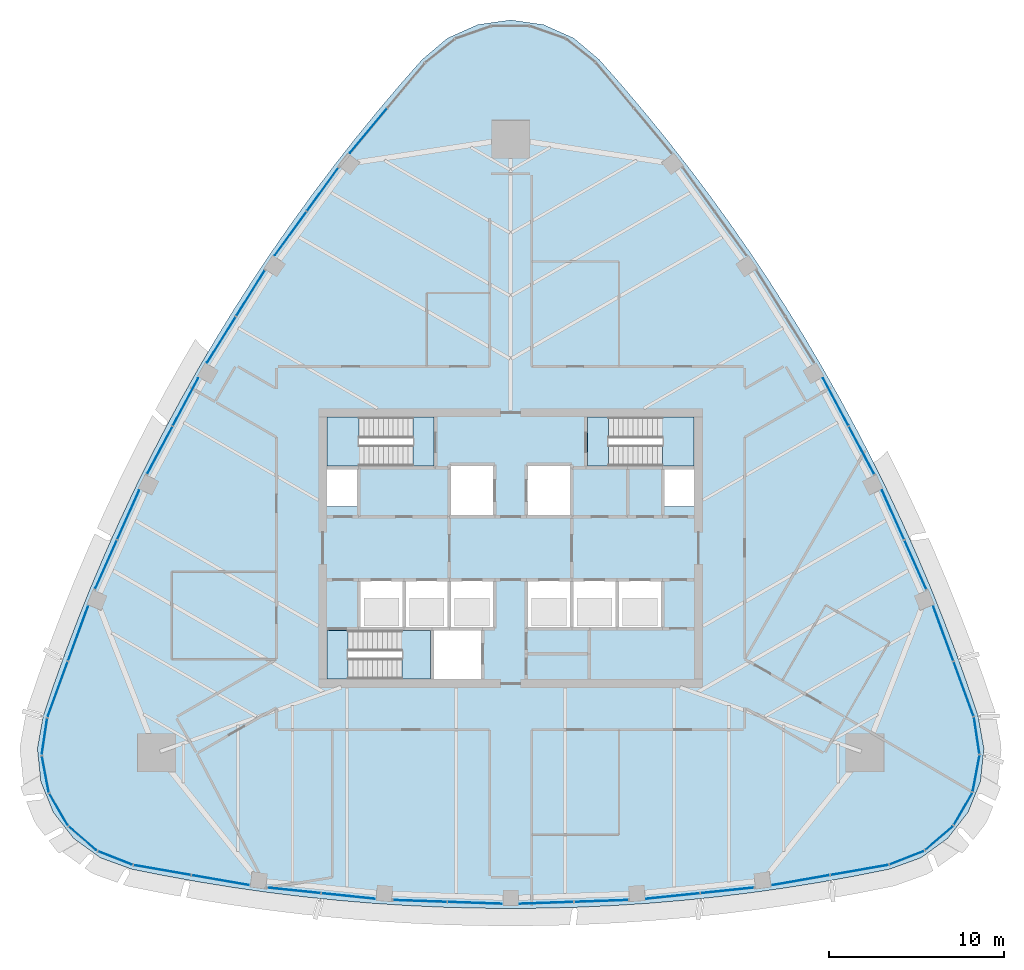
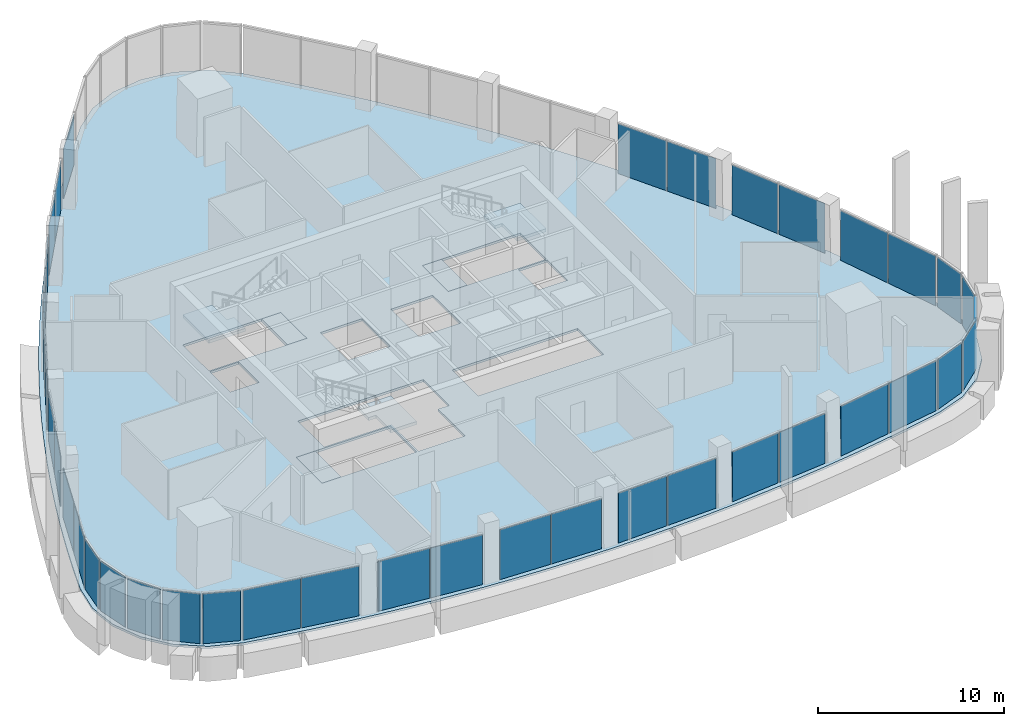
# One storey, part 7 of 16: 39 plates, 7 slabs, 28 elements without a shape of their own.
"""IFC4 building model written with IfcOpenShell, lengths in metres."""

from ifc_helpers import new_model, si_unit, direction, frame, origin, origin_2d, place, context, subcontext, project, spatial, polyline, rectangle, outline, extrude, material, layer, layer_set, type_object, element, aggregate, save


model = new_model("IFC4")

# Units and contexts
model_context = context("Model", 3, precision=1e-05, world=origin(), true_north=direction((0.0, 1.0)))
body_context = subcontext(model_context, "Body", "Model", "MODEL_VIEW")
ifc_project = project(units=[si_unit("LENGTHUNIT", "METRE"), si_unit("AREAUNIT", "SQUARE_METRE"), si_unit("VOLUMEUNIT", "CUBIC_METRE"), si_unit("PLANEANGLEUNIT", "RADIAN"), si_unit("MASSUNIT", "GRAM", prefix="KILO")], contexts=[model_context])

# Site, building, storey
site_placement = place(None, origin())
site = spatial("IfcSite", under=ifc_project, at=site_placement, CompositionType="ELEMENT")
building_placement = place(site_placement, origin())
building = spatial("IfcBuilding", under=site, at=building_placement, Name="Sierra Prisma Convention Tower", CompositionType="ELEMENT")
storey_placement = place(building_placement, frame((0.0, 0.0, 303.0)))
storey = spatial("IfcBuildingStorey", under=building, at=storey_placement, Name="L69", CompositionType="ELEMENT", Elevation=303.0)

# Curtain wall, plates
ifc_material_1 = material(Name="Aluminium and glass curtain wall", Category="aluminium")
ifc_layer_1 = layer(ifc_material_1, 0.179931640625)
ifc_layer_set_1 = layer_set([ifc_layer_1], Name="CW-1 Plain shaft curtain wall")
curtain_wall_type = type_object("IfcCurtainWallType", Name="CW-1 Plain shaft curtain wall", PredefinedType="NOTDEFINED", material=ifc_layer_set_1)
curtain_wall_1_placement = place(storey_placement, origin())
curtain_wall_1 = element("IfcCurtainWall", 1, at=curtain_wall_1_placement, inside=storey, type_object=curtain_wall_type, Name="CW-1 S1 L69", PredefinedType="NOTDEFINED")
ifc_material_2 = material(Name="Tinted glass bronze-grey IGU", Category="glass")
ifc_layer_2 = layer(ifc_material_2, 0.028076171875)
ifc_layer_set_2 = layer_set([ifc_layer_2], Name="CW-1 glass panel")
plate_type = type_object("IfcPlateType", Name="CW-1 glass panel", PredefinedType="CURTAIN_PANEL", material=ifc_layer_set_2)
plate_1_placement = place(storey_placement, frame((-19.939453125, -18.41943359375, 0.0), z_axis=(0.0, 0.0, 1.0), x_axis=(0.98517858206, -0.171531808858, 0.0)))
plate_1 = element("IfcPlate", 2, at=plate_1_placement, type_object=plate_type, Name="CW-1 panel S1.1", PredefinedType="CURTAIN_PANEL", context=body_context, shape_type="SweptSolid", body=[
    extrude(rectangle(XDim=3.30078125, YDim=0.028076171875, at=origin_2d()), origin(), (0.0, 0.0, 1.0), 3.280029296875),
])
plate_2_placement = place(storey_placement, frame((-16.61865234375, -18.99755859375, 0.0), z_axis=(0.0, 0.0, 1.0), x_axis=(0.98517858206, -0.171531808858, 0.0)))
plate_2 = element("IfcPlate", 3, at=plate_2_placement, type_object=plate_type, Name="CW-1 panel S1.2", PredefinedType="CURTAIN_PANEL", context=body_context, shape_type="SweptSolid", body=[
    extrude(rectangle(XDim=3.30078125, YDim=0.028076171875, at=origin_2d()), origin(), (0.0, 0.0, 1.0), 3.280029296875),
])
aggregate(curtain_wall_1, [plate_1, plate_2])

curtain_wall_2_placement = place(storey_placement, origin())
curtain_wall_2 = element("IfcCurtainWall", 4, at=curtain_wall_2_placement, inside=storey, type_object=curtain_wall_type, Name="CW-1 S2 L69", PredefinedType="NOTDEFINED")
plate_3_placement = place(storey_placement, frame((-12.40087890625, -19.585693359375, 0.0), z_axis=(0.0, 0.0, 1.0), x_axis=(0.994655823565, -0.103246271836, 0.0)))
plate_3 = element("IfcPlate", 5, at=plate_3_placement, type_object=plate_type, Name="CW-1 panel S2.1", PredefinedType="CURTAIN_PANEL", context=body_context, shape_type="SweptSolid", body=[
    extrude(rectangle(XDim=3.053955078125, YDim=0.028076171875, at=origin_2d()), origin(), (0.0, 0.0, 1.0), 3.280029296875),
])
plate_4_placement = place(storey_placement, frame((-9.29345703125, -19.908447265625, 0.0), z_axis=(0.0, 0.0, 1.0), x_axis=(0.994655823565, -0.103246271836, 0.0)))
plate_4 = element("IfcPlate", 6, at=plate_4_placement, type_object=plate_type, Name="CW-1 panel S2.2", PredefinedType="CURTAIN_PANEL", context=body_context, shape_type="SweptSolid", body=[
    extrude(rectangle(XDim=3.053955078125, YDim=0.028076171875, at=origin_2d()), origin(), (0.0, 0.0, 1.0), 3.280029296875),
])
aggregate(curtain_wall_2, [plate_3, plate_4])

curtain_wall_3_placement = place(storey_placement, origin())
curtain_wall_3 = element("IfcCurtainWall", 7, at=curtain_wall_3_placement, inside=storey, type_object=curtain_wall_type, Name="CW-1 S3 L69", PredefinedType="NOTDEFINED")
plate_5_placement = place(storey_placement, frame((-5.191650390625, -20.19091796875, 0.0), z_axis=(0.0, 0.0, 1.0), x_axis=(0.999405731839, -0.034470032902, 0.0)))
plate_5 = element("IfcPlate", 8, at=plate_5_placement, type_object=plate_type, Name="CW-1 panel S3.1", PredefinedType="CURTAIN_PANEL", context=body_context, shape_type="SweptSolid", body=[
    extrude(rectangle(XDim=3.06982421875, YDim=0.028076171875, at=origin_2d()), origin(), (0.0, 0.0, 1.0), 3.280029296875),
])
plate_6_placement = place(storey_placement, frame((-2.0537109375, -20.299072265625, 0.0), z_axis=(0.0, 0.0, 1.0), x_axis=(0.999405731839, -0.034470032902, 0.0)))
plate_6 = element("IfcPlate", 9, at=plate_6_placement, type_object=plate_type, Name="CW-1 panel S3.2", PredefinedType="CURTAIN_PANEL", context=body_context, shape_type="SweptSolid", body=[
    extrude(rectangle(XDim=3.06982421875, YDim=0.028076171875, at=origin_2d()), origin(), (0.0, 0.0, 1.0), 3.280029296875),
])
aggregate(curtain_wall_3, [plate_5, plate_6])

curtain_wall_4_placement = place(storey_placement, origin())
curtain_wall_4 = element("IfcCurtainWall", 10, at=curtain_wall_4_placement, inside=storey, type_object=curtain_wall_type, Name="CW-1 S4 L69", PredefinedType="NOTDEFINED")
plate_7_placement = place(storey_placement, frame((2.0537109375, -20.299072265625, 0.0), z_axis=(0.0, 0.0, 1.0), x_axis=(0.999405731839, 0.034470032902, 0.0)))
plate_7 = element("IfcPlate", 11, at=plate_7_placement, type_object=plate_type, Name="CW-1 panel S4.1", PredefinedType="CURTAIN_PANEL", context=body_context, shape_type="SweptSolid", body=[
    extrude(rectangle(XDim=3.06982421875, YDim=0.028076171875, at=origin_2d()), origin(), (0.0, 0.0, 1.0), 3.280029296875),
])
plate_8_placement = place(storey_placement, frame((5.191650390625, -20.19091796875, 0.0), z_axis=(0.0, 0.0, 1.0), x_axis=(0.999405731839, 0.034470032902, 0.0)))
plate_8 = element("IfcPlate", 12, at=plate_8_placement, type_object=plate_type, Name="CW-1 panel S4.2", PredefinedType="CURTAIN_PANEL", context=body_context, shape_type="SweptSolid", body=[
    extrude(rectangle(XDim=3.06982421875, YDim=0.028076171875, at=origin_2d()), origin(), (0.0, 0.0, 1.0), 3.280029296875),
])
aggregate(curtain_wall_4, [plate_7, plate_8])

curtain_wall_5_placement = place(storey_placement, origin())
curtain_wall_5 = element("IfcCurtainWall", 13, at=curtain_wall_5_placement, inside=storey, type_object=curtain_wall_type, Name="CW-1 S5 L69", PredefinedType="NOTDEFINED")
plate_9_placement = place(storey_placement, frame((9.29345703125, -19.908447265625, 0.0), z_axis=(0.0, 0.0, 1.0), x_axis=(0.994655823565, 0.103246271836, 0.0)))
plate_9 = element("IfcPlate", 14, at=plate_9_placement, type_object=plate_type, Name="CW-1 panel S5.1", PredefinedType="CURTAIN_PANEL", context=body_context, shape_type="SweptSolid", body=[
    extrude(rectangle(XDim=3.053955078125, YDim=0.028076171875, at=origin_2d()), origin(), (0.0, 0.0, 1.0), 3.280029296875),
])
plate_10_placement = place(storey_placement, frame((12.40087890625, -19.585693359375, 0.0), z_axis=(0.0, 0.0, 1.0), x_axis=(0.994655823565, 0.103246271836, 0.0)))
plate_10 = element("IfcPlate", 15, at=plate_10_placement, type_object=plate_type, Name="CW-1 panel S5.2", PredefinedType="CURTAIN_PANEL", context=body_context, shape_type="SweptSolid", body=[
    extrude(rectangle(XDim=3.053955078125, YDim=0.028076171875, at=origin_2d()), origin(), (0.0, 0.0, 1.0), 3.280029296875),
])
aggregate(curtain_wall_5, [plate_9, plate_10])

curtain_wall_6_placement = place(storey_placement, origin())
curtain_wall_6 = element("IfcCurtainWall", 16, at=curtain_wall_6_placement, inside=storey, type_object=curtain_wall_type, Name="CW-1 S6 L69", PredefinedType="NOTDEFINED")
plate_11_placement = place(storey_placement, frame((16.61865234375, -18.99755859375, 0.0), z_axis=(0.0, 0.0, 1.0), x_axis=(0.98517858206, 0.171531808858, 0.0)))
plate_11 = element("IfcPlate", 17, at=plate_11_placement, type_object=plate_type, Name="CW-1 panel S6.1", PredefinedType="CURTAIN_PANEL", context=body_context, shape_type="SweptSolid", body=[
    extrude(rectangle(XDim=3.30078125, YDim=0.028076171875, at=origin_2d()), origin(), (0.0, 0.0, 1.0), 3.280029296875),
])
plate_12_placement = place(storey_placement, frame((19.939453125, -18.41943359375, 0.0), z_axis=(0.0, 0.0, 1.0), x_axis=(0.98517858206, 0.171531808858, 0.0)))
plate_12 = element("IfcPlate", 18, at=plate_12_placement, type_object=plate_type, Name="CW-1 panel S6.2", PredefinedType="CURTAIN_PANEL", context=body_context, shape_type="SweptSolid", body=[
    extrude(rectangle(XDim=3.30078125, YDim=0.028076171875, at=origin_2d()), origin(), (0.0, 0.0, 1.0), 3.280029296875),
])
aggregate(curtain_wall_6, [plate_11, plate_12])

# Curtain wall, plate
curtain_wall_7_placement = place(storey_placement, origin())
curtain_wall_7 = element("IfcCurtainWall", 19, at=curtain_wall_7_placement, inside=storey, type_object=curtain_wall_type, Name="CW-1 SE1 L69", PredefinedType="NOTDEFINED")
plate_13_placement = place(storey_placement, frame((22.654052734375, -17.72314453125, 0.0), z_axis=(0.0, 0.0, 1.0), x_axis=(0.930533825949, 0.366205951296, 0.0)))
plate_13 = element("IfcPlate", 20, at=plate_13_placement, type_object=plate_type, Name="CW-1 panel SE1.1", PredefinedType="CURTAIN_PANEL", context=body_context, shape_type="SweptSolid", body=[
    extrude(rectangle(XDim=2.05126953125, YDim=0.028076171875, at=origin_2d()), origin(), (0.0, 0.0, 1.0), 3.280029296875),
])
aggregate(curtain_wall_7, [plate_13])

curtain_wall_8_placement = place(storey_placement, origin())
curtain_wall_8 = element("IfcCurtainWall", 21, at=curtain_wall_8_placement, inside=storey, type_object=curtain_wall_type, Name="CW-1 SE2 L69", PredefinedType="NOTDEFINED")
plate_14_placement = place(storey_placement, frame((24.503662109375, -16.606689453125, 0.0), z_axis=(0.0, 0.0, 1.0), x_axis=(0.75766854763, 0.652639542115, 0.0)))
plate_14 = element("IfcPlate", 22, at=plate_14_placement, type_object=plate_type, Name="CW-1 panel SE2.1", PredefinedType="CURTAIN_PANEL", context=body_context, shape_type="SweptSolid", body=[
    extrude(rectangle(XDim=2.05126953125, YDim=0.028076171875, at=origin_2d()), origin(), (0.0, 0.0, 1.0), 3.280029296875),
])
aggregate(curtain_wall_8, [plate_14])

curtain_wall_9_placement = place(storey_placement, origin())
curtain_wall_9 = element("IfcCurtainWall", 23, at=curtain_wall_9_placement, inside=storey, type_object=curtain_wall_type, Name="CW-1 SE3 L69", PredefinedType="NOTDEFINED")
plate_15_placement = place(storey_placement, frame((25.8818359375, -14.94287109375, 0.0), z_axis=(0.0, 0.0, 1.0), x_axis=(0.5, 0.866025403784, 0.0)))
plate_15 = element("IfcPlate", 24, at=plate_15_placement, type_object=plate_type, Name="CW-1 panel SE3.1", PredefinedType="CURTAIN_PANEL", context=body_context, shape_type="SweptSolid", body=[
    extrude(rectangle(XDim=2.05126953125, YDim=0.028076171875, at=origin_2d()), origin(), (0.0, 0.0, 1.0), 3.280029296875),
])
aggregate(curtain_wall_9, [plate_15])

curtain_wall_10_placement = place(storey_placement, origin())
curtain_wall_10 = element("IfcCurtainWall", 25, at=curtain_wall_10_placement, inside=storey, type_object=curtain_wall_type, Name="CW-1 SE4 L69", PredefinedType="NOTDEFINED")
plate_16_placement = place(storey_placement, frame((26.6337890625, -12.91748046875, 0.0), z_axis=(0.0, 0.0, 1.0), x_axis=(0.186368149171, 0.982479980954, 0.0)))
plate_16 = element("IfcPlate", 26, at=plate_16_placement, type_object=plate_type, Name="CW-1 panel SE4.1", PredefinedType="CURTAIN_PANEL", context=body_context, shape_type="SweptSolid", body=[
    extrude(rectangle(XDim=2.05126953125, YDim=0.028076171875, at=origin_2d()), origin(), (0.0, 0.0, 1.0), 3.280029296875),
])
aggregate(curtain_wall_10, [plate_16])

curtain_wall_11_placement = place(storey_placement, origin())
curtain_wall_11 = element("IfcCurtainWall", 27, at=curtain_wall_11_placement, inside=storey, type_object=curtain_wall_type, Name="CW-1 SE5 L69", PredefinedType="NOTDEFINED")
plate_17_placement = place(storey_placement, frame((26.675537109375, -10.75732421875, 0.0), z_axis=(0.0, 0.0, 1.0), x_axis=(-0.148123256135, 0.988968908001, 0.0)))
plate_17 = element("IfcPlate", 28, at=plate_17_placement, type_object=plate_type, Name="CW-1 panel SE5.1", PredefinedType="CURTAIN_PANEL", context=body_context, shape_type="SweptSolid", body=[
    extrude(rectangle(XDim=2.05126953125, YDim=0.028076171875, at=origin_2d()), origin(), (0.0, 0.0, 1.0), 3.280029296875),
])
aggregate(curtain_wall_11, [plate_17])

# Curtain wall, plates
curtain_wall_12_placement = place(storey_placement, origin())
curtain_wall_12 = element("IfcCurtainWall", 29, at=curtain_wall_12_placement, inside=storey, type_object=curtain_wall_type, Name="CW-1 NE1 L69", PredefinedType="NOTDEFINED")
plate_18_placement = place(storey_placement, frame((25.92138671875, -8.058349609375, 0.0), z_axis=(0.0, 0.0, 1.0), x_axis=(-0.344038387002, 0.938955583757, 0.0)))
plate_18 = element("IfcPlate", 30, at=plate_18_placement, type_object=plate_type, Name="CW-1 panel NE1.1", PredefinedType="CURTAIN_PANEL", context=body_context, shape_type="SweptSolid", body=[
    extrude(rectangle(XDim=3.30078125, YDim=0.028076171875, at=origin_2d()), origin(), (0.0, 0.0, 1.0), 3.280029296875),
])
plate_19_placement = place(storey_placement, frame((24.76171875, -4.893310546875, 0.0), z_axis=(0.0, 0.0, 1.0), x_axis=(-0.344038387002, 0.938955583757, 0.0)))
plate_19 = element("IfcPlate", 31, at=plate_19_placement, type_object=plate_type, Name="CW-1 panel NE1.2", PredefinedType="CURTAIN_PANEL", context=body_context, shape_type="SweptSolid", body=[
    extrude(rectangle(XDim=3.30078125, YDim=0.028076171875, at=origin_2d()), origin(), (0.0, 0.0, 1.0), 3.280029296875),
])
aggregate(curtain_wall_12, [plate_18, plate_19])

curtain_wall_13_placement = place(storey_placement, origin())
curtain_wall_13 = element("IfcCurtainWall", 32, at=curtain_wall_13_placement, inside=storey, type_object=curtain_wall_type, Name="CW-1 NE2 L69", PredefinedType="NOTDEFINED")
plate_20_placement = place(storey_placement, frame((23.162353515625, -0.94677734375, 0.0), z_axis=(0.0, 0.0, 1.0), x_axis=(-0.407914017527, 0.913020347147, 0.0)))
plate_20 = element("IfcPlate", 33, at=plate_20_placement, type_object=plate_type, Name="CW-1 panel NE2.1", PredefinedType="CURTAIN_PANEL", context=body_context, shape_type="SweptSolid", body=[
    extrude(rectangle(XDim=3.05419921875, YDim=0.028076171875, at=origin_2d()), origin(), (0.0, 0.0, 1.0), 3.280029296875),
])
plate_21_placement = place(storey_placement, frame((21.887939453125, 1.90576171875, 0.0), z_axis=(0.0, 0.0, 1.0), x_axis=(-0.407914017527, 0.913020347147, 0.0)))
plate_21 = element("IfcPlate", 34, at=plate_21_placement, type_object=plate_type, Name="CW-1 panel NE2.2", PredefinedType="CURTAIN_PANEL", context=body_context, shape_type="SweptSolid", body=[
    extrude(rectangle(XDim=3.05419921875, YDim=0.028076171875, at=origin_2d()), origin(), (0.0, 0.0, 1.0), 3.280029296875),
])
aggregate(curtain_wall_13, [plate_20, plate_21])

curtain_wall_14_placement = place(storey_placement, origin())
curtain_wall_14 = element("IfcCurtainWall", 35, at=curtain_wall_14_placement, inside=storey, type_object=curtain_wall_type, Name="CW-1 NE3 L69", PredefinedType="NOTDEFINED")
plate_22_placement = place(storey_placement, frame((20.081787109375, 5.59912109375, 0.0), z_axis=(0.0, 0.0, 1.0), x_axis=(-0.469850941757, 0.882745768911, 0.0)))
plate_22 = element("IfcPlate", 36, at=plate_22_placement, type_object=plate_type, Name="CW-1 panel NE3.1", PredefinedType="CURTAIN_PANEL", context=body_context, shape_type="SweptSolid", body=[
    extrude(rectangle(XDim=3.06982421875, YDim=0.028076171875, at=origin_2d()), origin(), (0.0, 0.0, 1.0), 3.280029296875),
])
plate_23_placement = place(storey_placement, frame((18.6064453125, 8.37109375, 0.0), z_axis=(0.0, 0.0, 1.0), x_axis=(-0.469850941757, 0.882745768911, 0.0)))
plate_23 = element("IfcPlate", 37, at=plate_23_placement, type_object=plate_type, Name="CW-1 panel NE3.2", PredefinedType="CURTAIN_PANEL", context=body_context, shape_type="SweptSolid", body=[
    extrude(rectangle(XDim=3.06982421875, YDim=0.028076171875, at=origin_2d()), origin(), (0.0, 0.0, 1.0), 3.280029296875),
])
aggregate(curtain_wall_14, [plate_22, plate_23])

# Curtain wall, plate
curtain_wall_15_placement = place(storey_placement, origin())
curtain_wall_15 = element("IfcCurtainWall", 38, at=curtain_wall_15_placement, inside=storey, type_object=curtain_wall_type, Name="CW-1 NW1 L69", PredefinedType="NOTDEFINED")
plate_24_placement = place(storey_placement, frame((-8.14306640625, 23.890869140625, 0.0), z_axis=(0.0, 0.0, 1.0), x_axis=(-0.641140195058, -0.7674237749, 0.0)))
plate_24 = element("IfcPlate", 39, at=plate_24_placement, type_object=plate_type, Name="CW-1 panel NW1.2", PredefinedType="CURTAIN_PANEL", context=body_context, shape_type="SweptSolid", body=[
    extrude(rectangle(XDim=3.30078125, YDim=0.028076171875, at=origin_2d()), origin(), (0.0, 0.0, 1.0), 3.280029296875),
])
aggregate(curtain_wall_15, [plate_24])

# Curtain wall, plates
curtain_wall_16_placement = place(storey_placement, origin())
curtain_wall_16 = element("IfcCurtainWall", 40, at=curtain_wall_16_placement, inside=storey, type_object=curtain_wall_type, Name="CW-1 NW2 L69", PredefinedType="NOTDEFINED")
plate_25_placement = place(storey_placement, frame((-10.761474609375, 20.532470703125, 0.0), z_axis=(0.0, 0.0, 1.0), x_axis=(-0.586741806038, -0.809774075312, 0.0)))
plate_25 = element("IfcPlate", 41, at=plate_25_placement, type_object=plate_type, Name="CW-1 panel NW2.1", PredefinedType="CURTAIN_PANEL", context=body_context, shape_type="SweptSolid", body=[
    extrude(rectangle(XDim=3.053955078125, YDim=0.028076171875, at=origin_2d()), origin(), (0.0, 0.0, 1.0), 3.280029296875),
])
plate_26_placement = place(storey_placement, frame((-12.594482421875, 18.002685546875, 0.0), z_axis=(0.0, 0.0, 1.0), x_axis=(-0.586741806038, -0.809774075312, 0.0)))
plate_26 = element("IfcPlate", 42, at=plate_26_placement, type_object=plate_type, Name="CW-1 panel NW2.2", PredefinedType="CURTAIN_PANEL", context=body_context, shape_type="SweptSolid", body=[
    extrude(rectangle(XDim=3.053955078125, YDim=0.028076171875, at=origin_2d()), origin(), (0.0, 0.0, 1.0), 3.280029296875),
])
aggregate(curtain_wall_16, [plate_25, plate_26])

curtain_wall_17_placement = place(storey_placement, origin())
curtain_wall_17 = element("IfcCurtainWall", 43, at=curtain_wall_17_placement, inside=storey, type_object=curtain_wall_type, Name="CW-1 NW3 L69", PredefinedType="NOTDEFINED")
plate_27_placement = place(storey_placement, frame((-14.89013671875, 14.591552734375, 0.0), z_axis=(0.0, 0.0, 1.0), x_axis=(-0.529554790081, -0.848275736009, 0.0)))
plate_27 = element("IfcPlate", 44, at=plate_27_placement, type_object=plate_type, Name="CW-1 panel NW3.1", PredefinedType="CURTAIN_PANEL", context=body_context, shape_type="SweptSolid", body=[
    extrude(rectangle(XDim=3.06982421875, YDim=0.028076171875, at=origin_2d()), origin(), (0.0, 0.0, 1.0), 3.280029296875),
])
plate_28_placement = place(storey_placement, frame((-16.552734375, 11.92822265625, 0.0), z_axis=(0.0, 0.0, 1.0), x_axis=(-0.529554790081, -0.848275736009, 0.0)))
plate_28 = element("IfcPlate", 45, at=plate_28_placement, type_object=plate_type, Name="CW-1 panel NW3.2", PredefinedType="CURTAIN_PANEL", context=body_context, shape_type="SweptSolid", body=[
    extrude(rectangle(XDim=3.06982421875, YDim=0.028076171875, at=origin_2d()), origin(), (0.0, 0.0, 1.0), 3.280029296875),
])
aggregate(curtain_wall_17, [plate_27, plate_28])

curtain_wall_18_placement = place(storey_placement, origin())
curtain_wall_18 = element("IfcCurtainWall", 46, at=curtain_wall_18_placement, inside=storey, type_object=curtain_wall_type, Name="CW-1 NW4 L69", PredefinedType="NOTDEFINED")
plate_29_placement = place(storey_placement, frame((-18.6064453125, 8.37109375, 0.0), z_axis=(0.0, 0.0, 1.0), x_axis=(-0.469850941757, -0.882745768911, 0.0)))
plate_29 = element("IfcPlate", 47, at=plate_29_placement, type_object=plate_type, Name="CW-1 panel NW4.1", PredefinedType="CURTAIN_PANEL", context=body_context, shape_type="SweptSolid", body=[
    extrude(rectangle(XDim=3.06982421875, YDim=0.028076171875, at=origin_2d()), origin(), (0.0, 0.0, 1.0), 3.280029296875),
])
plate_30_placement = place(storey_placement, frame((-20.081787109375, 5.599365234375, 0.0), z_axis=(0.0, 0.0, 1.0), x_axis=(-0.469850941757, -0.882745768911, 0.0)))
plate_30 = element("IfcPlate", 48, at=plate_30_placement, type_object=plate_type, Name="CW-1 panel NW4.2", PredefinedType="CURTAIN_PANEL", context=body_context, shape_type="SweptSolid", body=[
    extrude(rectangle(XDim=3.06982421875, YDim=0.028076171875, at=origin_2d()), origin(), (0.0, 0.0, 1.0), 3.280029296875),
])
aggregate(curtain_wall_18, [plate_29, plate_30])

curtain_wall_19_placement = place(storey_placement, origin())
curtain_wall_19 = element("IfcCurtainWall", 49, at=curtain_wall_19_placement, inside=storey, type_object=curtain_wall_type, Name="CW-1 NW5 L69", PredefinedType="NOTDEFINED")
plate_31_placement = place(storey_placement, frame((-21.887939453125, 1.90576171875, 0.0), z_axis=(0.0, 0.0, 1.0), x_axis=(-0.407914017527, -0.913020347147, 0.0)))
plate_31 = element("IfcPlate", 50, at=plate_31_placement, type_object=plate_type, Name="CW-1 panel NW5.1", PredefinedType="CURTAIN_PANEL", context=body_context, shape_type="SweptSolid", body=[
    extrude(rectangle(XDim=3.053955078125, YDim=0.028076171875, at=origin_2d()), origin(), (0.0, 0.0, 1.0), 3.280029296875),
])
plate_32_placement = place(storey_placement, frame((-23.162109375, -0.946533203125, 0.0), z_axis=(0.0, 0.0, 1.0), x_axis=(-0.407914017527, -0.913020347147, 0.0)))
plate_32 = element("IfcPlate", 51, at=plate_32_placement, type_object=plate_type, Name="CW-1 panel NW5.2", PredefinedType="CURTAIN_PANEL", context=body_context, shape_type="SweptSolid", body=[
    extrude(rectangle(XDim=3.053955078125, YDim=0.028076171875, at=origin_2d()), origin(), (0.0, 0.0, 1.0), 3.280029296875),
])
aggregate(curtain_wall_19, [plate_31, plate_32])

curtain_wall_20_placement = place(storey_placement, origin())
curtain_wall_20 = element("IfcCurtainWall", 52, at=curtain_wall_20_placement, inside=storey, type_object=curtain_wall_type, Name="CW-1 NW6 L69", PredefinedType="NOTDEFINED")
plate_33_placement = place(storey_placement, frame((-24.76171875, -4.893310546875, 0.0), z_axis=(0.0, 0.0, 1.0), x_axis=(-0.344038387002, -0.938955583757, 0.0)))
plate_33 = element("IfcPlate", 53, at=plate_33_placement, type_object=plate_type, Name="CW-1 panel NW6.1", PredefinedType="CURTAIN_PANEL", context=body_context, shape_type="SweptSolid", body=[
    extrude(rectangle(XDim=3.30078125, YDim=0.028076171875, at=origin_2d()), origin(), (0.0, 0.0, 1.0), 3.280029296875),
])
plate_34_placement = place(storey_placement, frame((-25.92138671875, -8.058349609375, 0.0), z_axis=(0.0, 0.0, 1.0), x_axis=(-0.344038387002, -0.938955583757, 0.0)))
plate_34 = element("IfcPlate", 54, at=plate_34_placement, type_object=plate_type, Name="CW-1 panel NW6.2", PredefinedType="CURTAIN_PANEL", context=body_context, shape_type="SweptSolid", body=[
    extrude(rectangle(XDim=3.30078125, YDim=0.028076171875, at=origin_2d()), origin(), (0.0, 0.0, 1.0), 3.280029296875),
])
aggregate(curtain_wall_20, [plate_33, plate_34])

# Curtain wall, plate
curtain_wall_21_placement = place(storey_placement, origin())
curtain_wall_21 = element("IfcCurtainWall", 55, at=curtain_wall_21_placement, inside=storey, type_object=curtain_wall_type, Name="CW-1 SW1 L69", PredefinedType="NOTDEFINED")
plate_35_placement = place(storey_placement, frame((-26.675537109375, -10.75732421875, 0.0), z_axis=(0.0, 0.0, 1.0), x_axis=(-0.148123256135, -0.988968908001, 0.0)))
plate_35 = element("IfcPlate", 56, at=plate_35_placement, type_object=plate_type, Name="CW-1 panel SW1.1", PredefinedType="CURTAIN_PANEL", context=body_context, shape_type="SweptSolid", body=[
    extrude(rectangle(XDim=2.05126953125, YDim=0.028076171875, at=origin_2d()), origin(), (0.0, 0.0, 1.0), 3.280029296875),
])
aggregate(curtain_wall_21, [plate_35])

curtain_wall_22_placement = place(storey_placement, origin())
curtain_wall_22 = element("IfcCurtainWall", 57, at=curtain_wall_22_placement, inside=storey, type_object=curtain_wall_type, Name="CW-1 SW2 L69", PredefinedType="NOTDEFINED")
plate_36_placement = place(storey_placement, frame((-26.6337890625, -12.91748046875, 0.0), z_axis=(0.0, 0.0, 1.0), x_axis=(0.186368149171, -0.982479980954, 0.0)))
plate_36 = element("IfcPlate", 58, at=plate_36_placement, type_object=plate_type, Name="CW-1 panel SW2.1", PredefinedType="CURTAIN_PANEL", context=body_context, shape_type="SweptSolid", body=[
    extrude(rectangle(XDim=2.05126953125, YDim=0.028076171875, at=origin_2d()), origin(), (0.0, 0.0, 1.0), 3.280029296875),
])
aggregate(curtain_wall_22, [plate_36])

curtain_wall_23_placement = place(storey_placement, origin())
curtain_wall_23 = element("IfcCurtainWall", 59, at=curtain_wall_23_placement, inside=storey, type_object=curtain_wall_type, Name="CW-1 SW3 L69", PredefinedType="NOTDEFINED")
plate_37_placement = place(storey_placement, frame((-25.8818359375, -14.94287109375, 0.0), z_axis=(0.0, 0.0, 1.0), x_axis=(0.5, -0.866025403784, 0.0)))
plate_37 = element("IfcPlate", 60, at=plate_37_placement, type_object=plate_type, Name="CW-1 panel SW3.1", PredefinedType="CURTAIN_PANEL", context=body_context, shape_type="SweptSolid", body=[
    extrude(rectangle(XDim=2.05126953125, YDim=0.028076171875, at=origin_2d()), origin(), (0.0, 0.0, 1.0), 3.280029296875),
])
aggregate(curtain_wall_23, [plate_37])

curtain_wall_24_placement = place(storey_placement, origin())
curtain_wall_24 = element("IfcCurtainWall", 61, at=curtain_wall_24_placement, inside=storey, type_object=curtain_wall_type, Name="CW-1 SW4 L69", PredefinedType="NOTDEFINED")
plate_38_placement = place(storey_placement, frame((-24.503662109375, -16.606689453125, 0.0), z_axis=(0.0, 0.0, 1.0), x_axis=(0.75766854763, -0.652639542115, 0.0)))
plate_38 = element("IfcPlate", 62, at=plate_38_placement, type_object=plate_type, Name="CW-1 panel SW4.1", PredefinedType="CURTAIN_PANEL", context=body_context, shape_type="SweptSolid", body=[
    extrude(rectangle(XDim=2.05126953125, YDim=0.028076171875, at=origin_2d()), origin(), (0.0, 0.0, 1.0), 3.280029296875),
])
aggregate(curtain_wall_24, [plate_38])

curtain_wall_25_placement = place(storey_placement, origin())
curtain_wall_25 = element("IfcCurtainWall", 63, at=curtain_wall_25_placement, inside=storey, type_object=curtain_wall_type, Name="CW-1 SW5 L69", PredefinedType="NOTDEFINED")
plate_39_placement = place(storey_placement, frame((-22.654052734375, -17.72314453125, 0.0), z_axis=(0.0, 0.0, 1.0), x_axis=(0.930533825949, -0.366205951296, 0.0)))
plate_39 = element("IfcPlate", 64, at=plate_39_placement, type_object=plate_type, Name="CW-1 panel SW5.1", PredefinedType="CURTAIN_PANEL", context=body_context, shape_type="SweptSolid", body=[
    extrude(rectangle(XDim=2.05126953125, YDim=0.028076171875, at=origin_2d()), origin(), (0.0, 0.0, 1.0), 3.280029296875),
])
aggregate(curtain_wall_25, [plate_39])

# Slab
ifc_material_3 = material(Name="Concrete C35/45", Category="concrete")
ifc_layer_3 = layer(ifc_material_3, 0.14990234375)
ifc_layer_set_3 = layer_set([ifc_layer_3], Name="Composite floor slab 150")
slab_type_1 = type_object("IfcSlabType", Name="Composite floor slab 150", PredefinedType="FLOOR", material=ifc_layer_set_3)
slab_1_placement = place(storey_placement, frame((0.0, 0.0, -0.14990234375)))
element("IfcSlab", 65, at=slab_1_placement, inside=storey, type_object=slab_type_1, Name="Floor slab L69 floor", PredefinedType="FLOOR", context=body_context, shape_type="SweptSolid", body=[
    extrude(outline(polyline([(-21.685791015625, -18.368896484375), (-19.73876953125, -18.758544921875), (-17.784912109375, -19.111328125), (-15.82470703125, -19.427490234375), (-13.85888671875, -19.70654296875), (-11.88818359375, -19.948486328125), (-9.913330078125, -20.153564453125), (-7.934814453125, -20.321533203125), (-5.95361328125, -20.451904296875), (-3.97021484375, -20.54541015625), (-1.9853515625, -20.601318359375), (0.0, -20.6201171875), (1.9853515625, -20.601318359375), (3.97021484375, -20.54541015625), (5.95361328125, -20.451904296875), (7.934814453125, -20.321533203125), (9.913330078125, -20.153564453125), (11.88818359375, -19.948486328125), (13.85888671875, -19.70654296875), (15.82470703125, -19.427490234375), (17.784912109375, -19.111328125), (19.73876953125, -18.758544921875), (21.685791015625, -18.368896484375), (23.47119140625, -17.723388671875), (25.008544921875, -16.609619140625), (26.17822265625, -15.114013671875), (26.888671875, -13.353271484375), (27.084716796875, -11.46484375), (26.7509765625, -9.595947265625), (26.11474609375, -7.715087890625), (25.443359375, -5.846435546875), (24.737060546875, -3.990966796875), (23.995849609375, -2.14892578125), (23.219970703125, -0.321044921875), (22.41015625, 1.49169921875), (21.566162109375, 3.2890625), (20.688720703125, 5.070068359375), (19.77783203125, 6.83447265625), (18.833984375, 8.581298828125), (17.857421875, 10.31005859375), (16.8486328125, 12.02001953125), (15.8076171875, 13.7109375), (14.735107421875, 15.3818359375), (13.631591796875, 17.032470703125), (12.496826171875, 18.661865234375), (11.33203125, 20.269775390625), (10.136962890625, 21.85546875), (8.912353515625, 23.418212890625), (7.658447265625, 24.957763671875), (6.3759765625, 26.4736328125), (5.065185546875, 27.965087890625), (3.61328125, 29.1884765625), (1.8798828125, 29.962890625), (0.0, 30.22802734375), (-1.8798828125, 29.962890625), (-3.61328125, 29.1884765625), (-5.065185546875, 27.965087890625), (-6.3759765625, 26.4736328125), (-7.658447265625, 24.957763671875), (-8.912353515625, 23.418212890625), (-10.136962890625, 21.85546875), (-11.33203125, 20.269775390625), (-12.496826171875, 18.661865234375), (-13.631591796875, 17.032470703125), (-14.735107421875, 15.3818359375), (-15.8076171875, 13.7109375), (-16.8486328125, 12.02001953125), (-17.857421875, 10.31005859375), (-18.833984375, 8.581298828125), (-19.77783203125, 6.83447265625), (-20.688720703125, 5.070068359375), (-21.566162109375, 3.2890625), (-22.41015625, 1.49169921875), (-23.219970703125, -0.321044921875), (-23.995849609375, -2.14892578125), (-24.737060546875, -3.990966796875), (-25.443359375, -5.846435546875), (-26.11474609375, -7.715087890625), (-26.7509765625, -9.595947265625), (-27.084716796875, -11.46484375), (-26.888671875, -13.353271484375), (-26.17822265625, -15.114013671875), (-25.008544921875, -16.609619140625), (-23.47119140625, -17.723388671875), (-21.685791015625, -18.368896484375)]), holes=[polyline([(-4.60009765625, -4.699951171875), (-4.60009765625, -7.5), (-10.5, -7.5), (-10.5, -4.699951171875), (-4.60009765625, -4.699951171875)]), polyline([(-4.5, -7.5), (-4.5, -4.60009765625), (-6.10009765625, -4.60009765625), (-8.699951171875, -4.60009765625), (-8.699951171875, -1.800048828125), (-6.10009765625, -1.800048828125), (-3.5, -1.800048828125), (-0.89990234375, -1.800048828125), (-0.89990234375, -4.60009765625), (-1.60009765625, -4.60009765625), (-1.60009765625, -7.5), (-4.5, -7.5)]), polyline([(-8.699951171875, 2.39990234375), (-10.5, 2.39990234375), (-10.5, 4.60009765625), (-8.699951171875, 4.60009765625), (-8.699951171875, 2.39990234375)]), polyline([(-4.39990234375, 4.699951171875), (-10.5, 4.699951171875), (-10.5, 7.5), (-4.39990234375, 7.5), (-4.39990234375, 4.699951171875)]), polyline([(3.5, -1.800048828125), (6.10009765625, -1.800048828125), (8.699951171875, -1.800048828125), (8.699951171875, -4.60009765625), (6.10009765625, -4.60009765625), (3.5, -4.60009765625), (0.89990234375, -4.60009765625), (0.89990234375, -1.800048828125), (3.5, -1.800048828125)]), polyline([(-0.89990234375, 1.800048828125), (-3.5, 1.800048828125), (-3.5, 4.800048828125), (-0.89990234375, 4.800048828125), (-0.89990234375, 1.800048828125)]), polyline([(3.5, 1.800048828125), (0.89990234375, 1.800048828125), (0.89990234375, 4.800048828125), (3.5, 4.800048828125), (3.5, 1.800048828125)]), polyline([(10.5, 2.39990234375), (8.699951171875, 2.39990234375), (8.699951171875, 4.60009765625), (10.5, 4.60009765625), (10.5, 2.39990234375)]), polyline([(10.5, 4.699951171875), (4.39990234375, 4.699951171875), (4.39990234375, 7.5), (10.5, 7.5), (10.5, 4.699951171875)])]), origin(), (0.0, 0.0, 1.0), 0.14990234375),
])

# Stair, slab
ifc_material_4 = material(Name="Concrete C30/37", Category="concrete")
stair_type = type_object("IfcStairType", Name="Stair dog-leg 1200 RC", PredefinedType="HALF_TURN_STAIR", material=ifc_material_4)
stair_1_placement = place(storey_placement, origin())
stair_1 = element("IfcStair", 66, at=stair_1_placement, inside=storey, type_object=stair_type, Name="L69 S1", PredefinedType="HALF_TURN_STAIR")
ifc_material_5 = material(Name="Concrete C35/45", Category="concrete")
ifc_layer_4 = layer(ifc_material_5, 0.199951171875)
ifc_layer_set_4 = layer_set([ifc_layer_4], Name="Stair landing slab")
slab_type_2 = type_object("IfcSlabType", Name="Stair landing slab", PredefinedType="LANDING", material=ifc_layer_set_4)
slab_2_placement = place(storey_placement, frame((0.0, 0.0, 1.800048828125)))
slab_2 = element("IfcSlab", 67, at=slab_2_placement, type_object=slab_type_2, Name="S1 landing 1", PredefinedType="LANDING", context=body_context, shape_type="SweptSolid", body=[
    extrude(outline(polyline([(-4.60009765625, -4.699951171875), (-4.60009765625, -7.5), (-6.221923828125, -7.5), (-6.221923828125, -5.89990234375), (-6.669921875, -5.89990234375), (-6.669921875, -4.699951171875), (-4.60009765625, -4.699951171875)])), origin(), (0.0, 0.0, 1.0), 0.199951171875),
])
aggregate(stair_1, [slab_2])

# Slab
slab_3_placement = place(storey_placement, frame((0.0, 0.0, -0.199951171875)))
element("IfcSlab", 68, at=slab_3_placement, inside=storey, type_object=slab_type_2, Name="S1 floor landing L69", PredefinedType="LANDING", context=body_context, shape_type="SweptSolid", body=[
    extrude(outline(polyline([(-10.5, -7.5), (-9.298095703125, -7.5), (-9.298095703125, -4.699951171875), (-10.5, -4.699951171875), (-10.5, -7.5)])), origin(), (0.0, 0.0, 1.0), 0.199951171875),
])

# Stair, slab
stair_2_placement = place(storey_placement, origin())
stair_2 = element("IfcStair", 69, at=stair_2_placement, inside=storey, type_object=stair_type, Name="L69 S3", PredefinedType="HALF_TURN_STAIR")
slab_4_placement = place(storey_placement, frame((0.0, 0.0, 1.800048828125)))
slab_4 = element("IfcSlab", 70, at=slab_4_placement, type_object=slab_type_2, Name="S3 landing 1", PredefinedType="LANDING", context=body_context, shape_type="SweptSolid", body=[
    extrude(outline(polyline([(-8.22998046875, 5.89990234375), (-8.22998046875, 4.699951171875), (-10.5, 4.699951171875), (-10.5, 7.5), (-8.677978515625, 7.5), (-8.677978515625, 5.89990234375), (-8.22998046875, 5.89990234375)])), origin(), (0.0, 0.0, 1.0), 0.199951171875),
])
aggregate(stair_2, [slab_4])

# Slab
slab_5_placement = place(storey_placement, frame((0.0, 0.0, -0.199951171875)))
element("IfcSlab", 71, at=slab_5_placement, inside=storey, type_object=slab_type_2, Name="S3 floor landing L69", PredefinedType="LANDING", context=body_context, shape_type="SweptSolid", body=[
    extrude(outline(polyline([(-4.39990234375, 7.5), (-5.60205078125, 7.5), (-5.60205078125, 4.699951171875), (-4.39990234375, 4.699951171875), (-4.39990234375, 7.5)])), origin(), (0.0, 0.0, 1.0), 0.199951171875),
])

# Stair, slab
stair_3_placement = place(storey_placement, origin())
stair_3 = element("IfcStair", 72, at=stair_3_placement, inside=storey, type_object=stair_type, Name="L69 S4", PredefinedType="HALF_TURN_STAIR")
slab_6_placement = place(storey_placement, frame((0.0, 0.0, 1.800048828125)))
slab_6 = element("IfcSlab", 73, at=slab_6_placement, type_object=slab_type_2, Name="S4 landing 1", PredefinedType="LANDING", context=body_context, shape_type="SweptSolid", body=[
    extrude(outline(polyline([(10.5, 7.5), (10.5, 4.699951171875), (8.677978515625, 4.699951171875), (8.677978515625, 6.300048828125), (8.22998046875, 6.300048828125), (8.22998046875, 7.5), (10.5, 7.5)])), origin(), (0.0, 0.0, 1.0), 0.199951171875),
])
aggregate(stair_3, [slab_6])

# Slab
slab_7_placement = place(storey_placement, frame((0.0, 0.0, -0.199951171875)))
element("IfcSlab", 74, at=slab_7_placement, inside=storey, type_object=slab_type_2, Name="S4 floor landing L69", PredefinedType="LANDING", context=body_context, shape_type="SweptSolid", body=[
    extrude(outline(polyline([(4.39990234375, 4.699951171875), (5.60205078125, 4.699951171875), (5.60205078125, 7.5), (4.39990234375, 7.5), (4.39990234375, 4.699951171875)])), origin(), (0.0, 0.0, 1.0), 0.199951171875),
])

save(model, "model.ifc")
